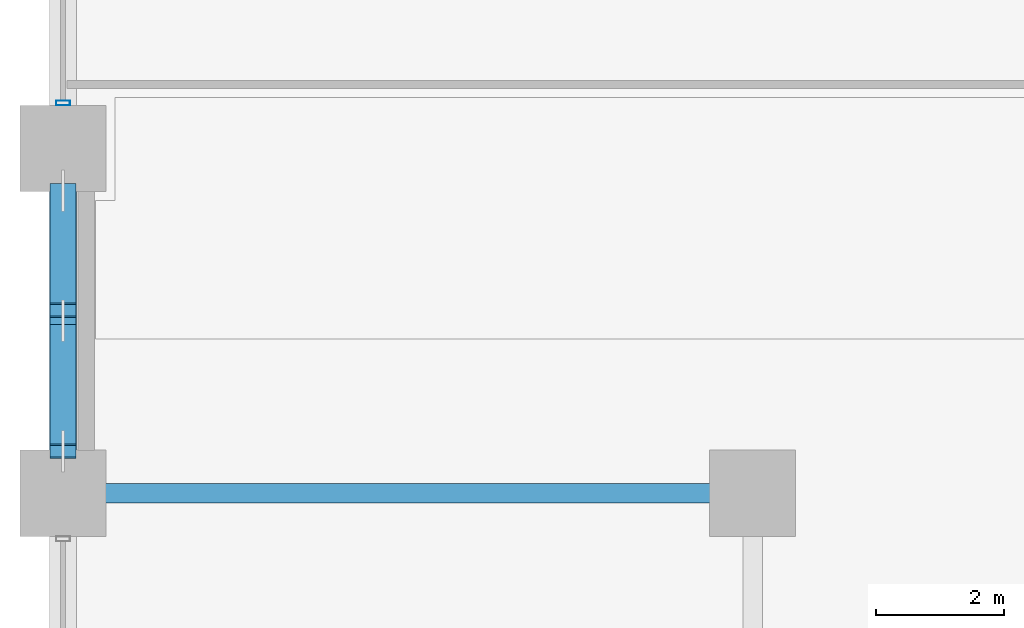
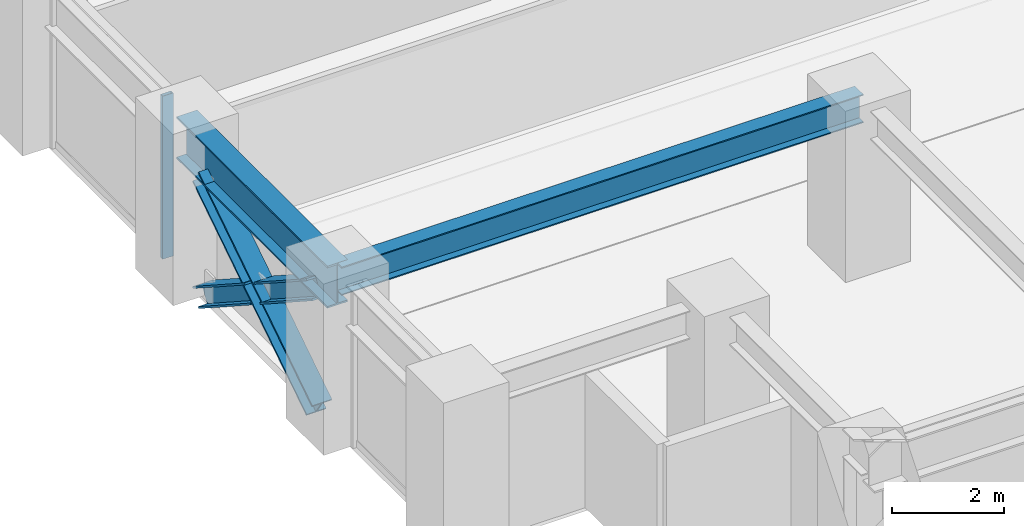
# One storey, part 3 of 25: 4 members, 2 beams, 1 element without a shape of its own.
"""IFC4 building model written with IfcOpenShell, lengths in metres."""

from ifc_helpers import new_model, si_unit, direction, frame, origin, origin_2d, place, context, subcontext, project, spatial, hollow_rectangle, i_section, extrude, material, layer, layer_set, material_profile, profile_set, type_object, element, aggregate, save


model = new_model("IFC4")

# Units and contexts
model_context = context("Model", 3, precision=1e-05, world=origin(), true_north=direction((0.0, 1.0)))
body_context = subcontext(model_context, "Body", "Model", "MODEL_VIEW")
ifc_project = project(units=[si_unit("LENGTHUNIT", "METRE"), si_unit("AREAUNIT", "SQUARE_METRE"), si_unit("VOLUMEUNIT", "CUBIC_METRE"), si_unit("PLANEANGLEUNIT", "RADIAN"), si_unit("MASSUNIT", "GRAM", prefix="KILO")], contexts=[model_context])

# Site, building, storey
site_placement = place(None, origin())
site = spatial("IfcSite", under=ifc_project, at=site_placement, CompositionType="ELEMENT")
building_placement = place(site_placement, origin())
building = spatial("IfcBuilding", under=site, at=building_placement, Name="Surkhivell Harbour Commons", CompositionType="ELEMENT")
storey_placement = place(building_placement, frame((0.0, 0.0, 33.75)))
storey = spatial("IfcBuildingStorey", under=building, at=storey_placement, Name="L08", CompositionType="ELEMENT", Elevation=33.75)

# Beams
ifc_material_1 = material(Name="Steel S355", Category="steel")
ifc_material_profile_1 = material_profile(ifc_material_1, i_section(OverallWidth=0.306884765625, OverallDepth=0.6201171875, WebThickness=0.01416015625, FlangeThickness=0.023681640625, at=origin_2d()), Name="UB610x305x179")
ifc_profile_set_1 = profile_set([ifc_material_profile_1], Name="Steel S355")
beam_type_1 = type_object("IfcBeamType", Name="BM-GRD-610A", PredefinedType="BEAM", material=ifc_profile_set_1)
beam_1_placement = place(storey_placement, frame((-32.39990234375, -16.199951171875, 3.260009765625), z_axis=(1.0, 0.0, 0.0), x_axis=(0.0, 1.0, 0.0)))
element("IfcBeam", 1, at=beam_1_placement, inside=storey, type_object=beam_type_1, Name="L08 Floor Girder (-32.4,-16.2)", PredefinedType="BEAM", context=body_context, shape_type="SweptSolid", body=[
    extrude(i_section(OverallWidth=0.306884765625, OverallDepth=0.6201171875, WebThickness=0.01416015625, FlangeThickness=0.023681640625, at=origin_2d()), origin(), (0.0, 0.0, 1.0), 10.7998046875),
])
ifc_material_2 = material(Name="Steel S460", Category="steel")
ifc_material_profile_2 = material_profile(ifc_material_2, i_section(OverallWidth=0.419921875, OverallDepth=0.9208984375, WebThickness=0.021484375, FlangeThickness=0.03662109375, at=origin_2d()), Name="UB914x419x388")
ifc_profile_set_2 = profile_set([ifc_material_profile_2], Name="Steel S460")
beam_type_2 = type_object("IfcBeamType", Name="BM-SPN-914A", PredefinedType="SPANDREL", material=ifc_profile_set_2)
beam_2_placement = place(storey_placement, frame((-32.39990234375, -16.199951171875, 3.109619140625), z_axis=(0.0, 1.0, 0.0), x_axis=(-1.0, 0.0, 0.0)))
element("IfcBeam", 2, at=beam_2_placement, inside=storey, type_object=beam_type_2, Name="L08 Tube Spandrel (-32.4,-16.2)", PredefinedType="SPANDREL", context=body_context, shape_type="SweptSolid", body=[
    extrude(i_section(OverallWidth=0.419921875, OverallDepth=0.9208984375, WebThickness=0.021484375, FlangeThickness=0.03662109375, at=origin_2d()), origin(), (0.0, 0.0, 1.0), 5.39990234375),
])

# Curtain wall, member
ifc_material_3 = material(Name="Anodised pale-metal aluminium and insulated glazing", Category="aluminium")
ifc_layer = layer(ifc_material_3, 0.219970703125)
ifc_layer_set = layer_set([ifc_layer], Name="Anodised pale-metal aluminium and insulated glazing")
curtain_wall_type = type_object("IfcCurtainWallType", Name="CW-SYS-Z1", PredefinedType="NOTDEFINED", material=ifc_layer_set)
curtain_wall_placement = place(storey_placement, origin())
curtain_wall = element("IfcCurtainWall", 3, at=curtain_wall_placement, inside=storey, type_object=curtain_wall_type, Name="L08 Curtain Wall CW-L08-E12S1", PredefinedType="NOTDEFINED")
ifc_material_4 = material(Name="Anodised pale-metal aluminium alloy 6063-T6", Category="aluminium")
ifc_material_profile_3 = material_profile(ifc_material_4, hollow_rectangle(XDim=0.074951171875, YDim=0.219970703125, WallThickness=0.00390625, at=origin_2d()), Name="ALU-MULL-75x220")
ifc_profile_set_3 = profile_set([ifc_material_profile_3], Name="Anodised pale-metal aluminium alloy 6063-T6")
member_type_1 = type_object("IfcMemberType", Name="CWM-220", PredefinedType="MULLION", material=ifc_profile_set_3)
member_1_placement = place(storey_placement, frame((-32.39990234375, -10.08544921875, 0.0), z_axis=(0.0, 0.0, 1.0), x_axis=(0.0, -1.0, 0.0)))
member_1 = element("IfcMember", 4, at=member_1_placement, type_object=member_type_1, Name="CW-Z1 mullion 7", PredefinedType="MULLION", context=body_context, shape_type="SweptSolid", body=[
    extrude(hollow_rectangle(XDim=0.074951171875, YDim=0.219970703125, WallThickness=0.00390625, at=origin_2d()), origin(), (0.0, 0.0, 1.0), 3.570068359375),
])
aggregate(curtain_wall, [member_1])

# Members
ifc_material_profile_4 = material_profile(ifc_material_2, i_section(OverallWidth=0.406005859375, OverallDepth=0.416015625, WebThickness=0.026611328125, FlangeThickness=0.0390625, at=origin_2d()), Name="HD400x382")
ifc_profile_set_4 = profile_set([ifc_material_profile_4], Name="Steel S460")
member_type_2 = type_object("IfcMemberType", Name="MEM-BRC-HD382", PredefinedType="BRACE", material=ifc_profile_set_4)
member_2_placement = place(storey_placement, frame((-32.39990234375, -15.5400390625, 0.008056640625), z_axis=(0.0, 0.83910375559, 0.543971403067), x_axis=(-1.0, 0.0, 0.0)))
element("IfcMember", 5, at=member_2_placement, inside=storey, type_object=member_type_2, Name="L08 Perimeter Mega-Brace MB- 10", PredefinedType="BRACE", context=body_context, shape_type="SweptSolid", body=[
    extrude(i_section(OverallWidth=0.406005859375, OverallDepth=0.416015625, WebThickness=0.026611328125, FlangeThickness=0.0390625, at=origin_2d()), origin(), (0.0, 0.0, 1.0), 4.8623046875),
])
for number, where, z_axis, x_axis, name in (
    (6, (-32.39990234375, -11.4599609375, 0.008056640625), (0.0, -0.839117847051, 0.54394966565), (1.0, 0.0, 0.0), "L08 Perimeter Mega-Brace MB- 11"),
    (7, (-32.39990234375, -13.66748046875, 1.439208984375), (0.0, -0.839117847051, 0.54394966565), (1.0, 0.0, 0.0), "L08 Perimeter Mega-Brace MB- 12"),
):
    element("IfcMember", number, at=place(storey_placement, frame(where, z_axis=z_axis, x_axis=x_axis)), inside=storey, type_object=member_type_2, Name=name, PredefinedType="BRACE", context=body_context, shape_type="SweptSolid", body=[
        extrude(i_section(OverallWidth=0.406005859375, OverallDepth=0.416015625, WebThickness=0.026611328125, FlangeThickness=0.0390625, at=origin_2d()), origin(), (0.0, 0.0, 1.0), 2.231689453125),
    ])

save(model, "model.ifc")
